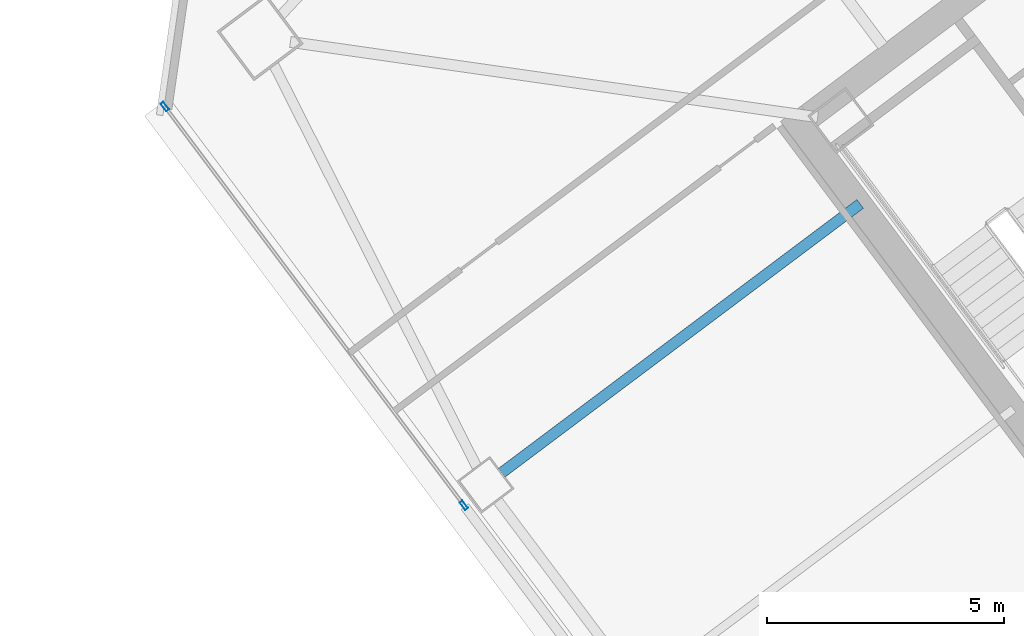
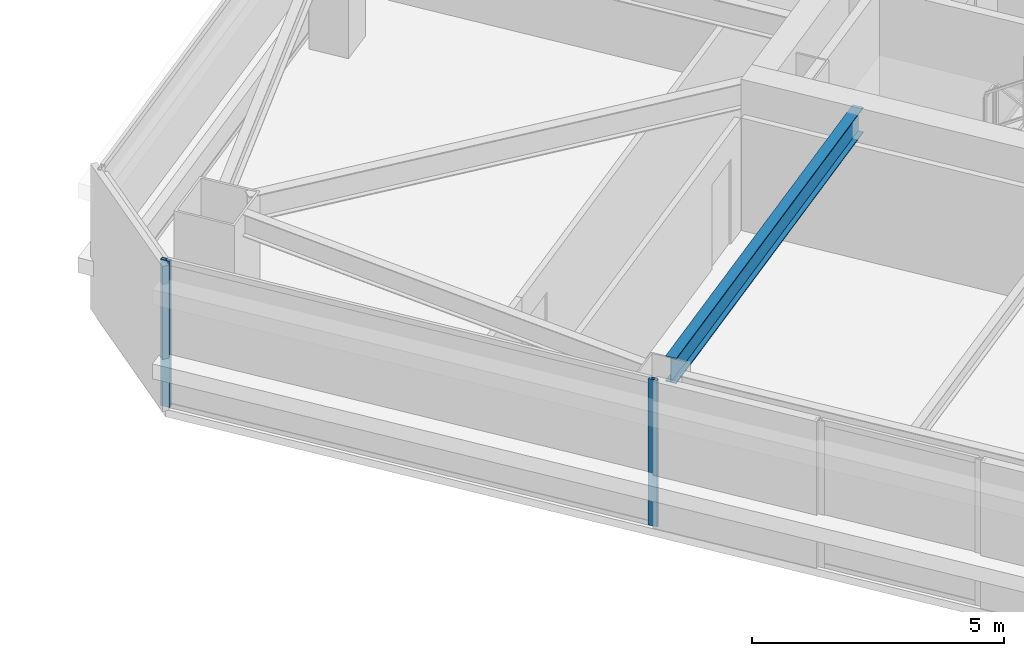
# One storey, part 20 of 42: 2 members, 1 beam, 1 element without a shape of its own.
"""IFC4 building model written with IfcOpenShell, lengths in metres."""

from ifc_helpers import new_model, si_unit, direction, frame, origin, origin_2d, place, context, subcontext, project, spatial, hollow_rectangle, i_section, extrude, material, material_profile, profile_set, type_object, element, aggregate, save


model = new_model("IFC4")

# Units and contexts
model_context = context("Model", 3, precision=1e-05, world=origin(), true_north=direction((0.0, 1.0)))
body_context = subcontext(model_context, "Body", "Model", "MODEL_VIEW")
ifc_project = project(units=[si_unit("LENGTHUNIT", "METRE"), si_unit("AREAUNIT", "SQUARE_METRE"), si_unit("VOLUMEUNIT", "CUBIC_METRE"), si_unit("PLANEANGLEUNIT", "RADIAN"), si_unit("MASSUNIT", "GRAM", prefix="KILO")], contexts=[model_context])

# Site, building, storey
site_placement = place(None, origin())
site = spatial("IfcSite", under=ifc_project, at=site_placement, CompositionType="ELEMENT")
building_placement = place(site_placement, origin())
building = spatial("IfcBuilding", under=site, at=building_placement, Name="Tashvorn Skyway Center", CompositionType="ELEMENT")
storey_placement = place(building_placement, frame((0.0, 0.0, 121.5)))
storey = spatial("IfcBuildingStorey", under=building, at=storey_placement, Name="L32", CompositionType="ELEMENT", Elevation=121.5)

# Beam
ifc_material_1 = material(Name="Steel ASTM A992 Grade 50", Category="steel")
ifc_material_profile_1 = material_profile(ifc_material_1, i_section(OverallWidth=0.22998046875, OverallDepth=0.616943359375, WebThickness=0.01318359375, FlangeThickness=0.022216796875, at=origin_2d()), Name="W24X94")
ifc_profile_set_1 = profile_set([ifc_material_profile_1], Name="Steel ASTM A992 Grade 50")
beam_type = type_object("IfcBeamType", Name="BM-BEAM-W24X94", PredefinedType="BEAM", material=ifc_profile_set_1)
beam_placement = place(storey_placement, frame((96.97607421875, 25.98193359375, 3.0615234375), z_axis=(0.799984498661, 0.600020667896, 0.0), x_axis=(-0.600020667896, 0.799984498661, 0.0)))
element("IfcBeam", 1, at=beam_placement, inside=storey, type_object=beam_type, Name="Tower 2 L32 Primary Floor Girder FC-W1", PredefinedType="BEAM", context=body_context, shape_type="SweptSolid", body=[
    extrude(i_section(OverallWidth=0.22998046875, OverallDepth=0.616943359375, WebThickness=0.01318359375, FlangeThickness=0.022216796875, at=origin_2d()), origin(), (0.0, 0.0, 1.0), 9.449951171875),
])

# Curtain wall, members
ifc_material_2 = material(Name="Thermally broken bronze-anodized aluminium 6063-T6", Category="aluminium")
curtain_wall_type = type_object("IfcCurtainWallType", Name="CW-CW-Z3", PredefinedType="NOTDEFINED", material=ifc_material_2)
curtain_wall_placement = place(storey_placement, origin())
curtain_wall = element("IfcCurtainWall", 2, at=curtain_wall_placement, inside=storey, type_object=curtain_wall_type, Name="Tower 2 L32 West Unitised Curtain Wall Glazing Group 3", PredefinedType="NOTDEFINED")
ifc_material_profile_2 = material_profile(ifc_material_2, hollow_rectangle(XDim=0.074951171875, YDim=0.199951171875, WallThickness=0.00439453125, at=origin_2d()), Name="ALU-MULL-75x200")
ifc_profile_set_2 = profile_set([ifc_material_profile_2], Name="Thermally broken bronze-anodized aluminium 6063-T6")
member_type = type_object("IfcMemberType", Name="CWM-CW-Z3", PredefinedType="MULLION", material=ifc_profile_set_2)
member_1_placement = place(storey_placement, frame((96.177490234375, 25.296630859375, 0.0), z_axis=(0.0, 0.0, 1.0), x_axis=(-0.799998866489, -0.600001511345, 0.0)))
member_1 = element("IfcMember", 3, at=member_1_placement, type_object=member_type, Name="CW-Z3 mullion 1", PredefinedType="MULLION", context=body_context, shape_type="SweptSolid", body=[
    extrude(hollow_rectangle(XDim=0.074951171875, YDim=0.199951171875, WallThickness=0.00439453125, at=origin_2d()), origin(), (0.0, 0.0, 1.0), 3.550048828125),
])
member_2_placement = place(storey_placement, frame((89.87060546875, 33.7060546875, 0.0), z_axis=(0.0, 0.0, 1.0), x_axis=(-0.799998866489, -0.600001511345, 0.0)))
member_2 = element("IfcMember", 4, at=member_2_placement, type_object=member_type, Name="CW-Z3 mullion 2", PredefinedType="MULLION", context=body_context, shape_type="SweptSolid", body=[
    extrude(hollow_rectangle(XDim=0.074951171875, YDim=0.199951171875, WallThickness=0.00439453125, at=origin_2d()), origin(), (0.0, 0.0, 1.0), 3.550048828125),
])
aggregate(curtain_wall, [member_1, member_2])

save(model, "model.ifc")
